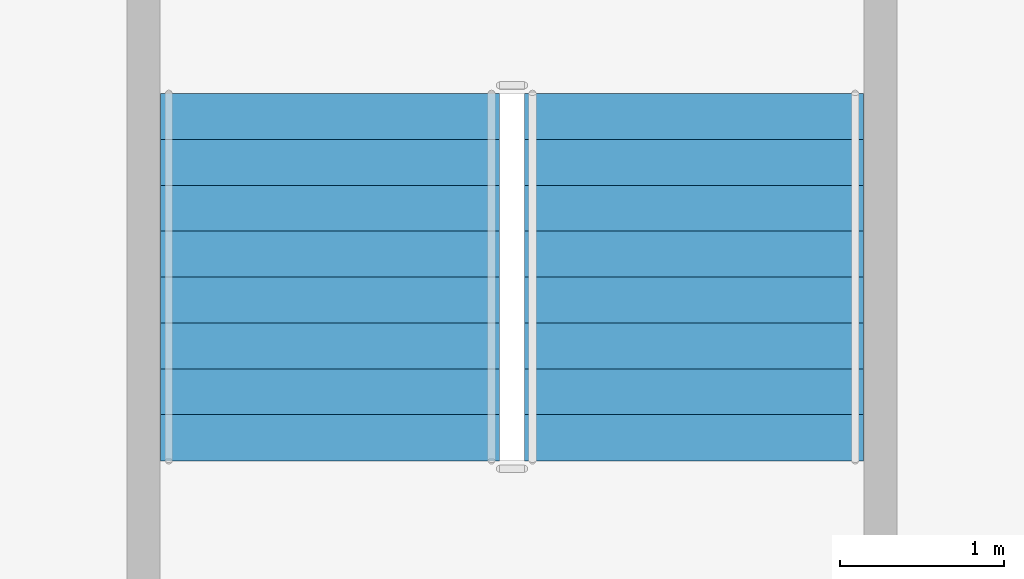
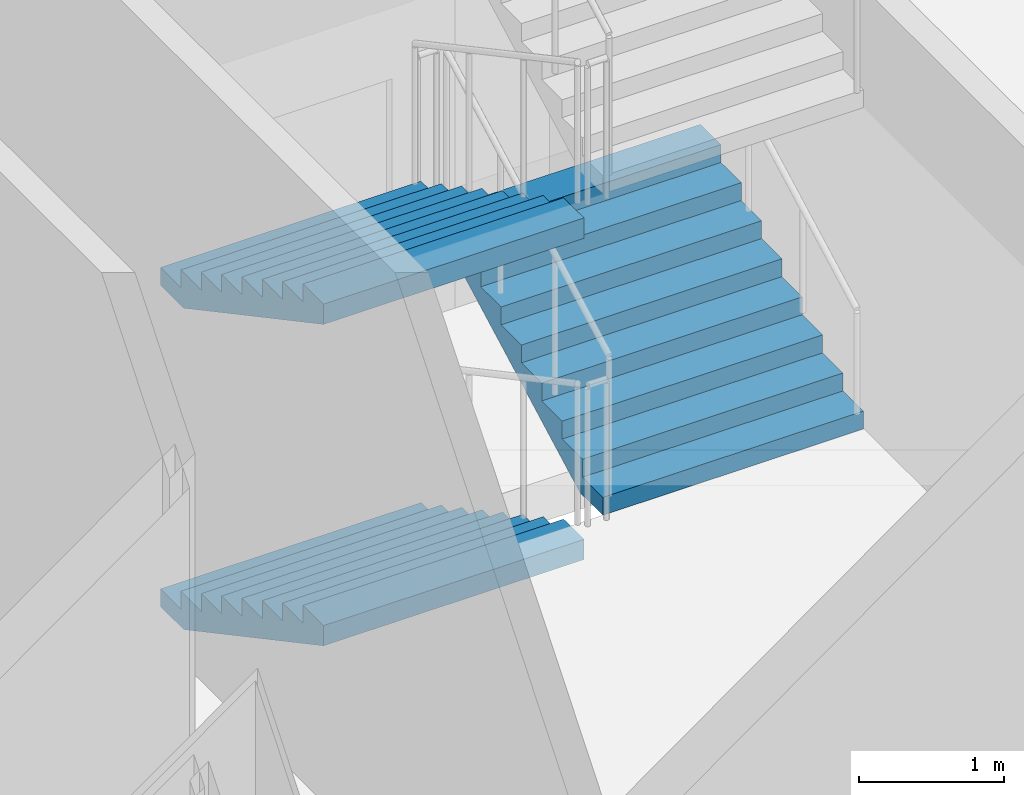
# One storey, part 17 of 27: 3 stair flights, 1 element without a shape of its own.
"""IFC4 building model written with IfcOpenShell, lengths in metres."""

import ifcopenshell
import ifcopenshell.guid

model = None  # the IFC model being written
_history = None  # IfcOwnerHistory: only IFC2X3 demands one
_inside = {}  # id of a spatial element -> (the spatial element, [elements in it])
_under = {}  # id of a project, library or spatial element -> (it, [spatial elements below it])
_declared = {}  # id of a project -> (the project, [libraries it declares])
_typed = {}  # id of a type object -> (the type object, [elements of that type])
_made_of = {}  # id of a material, layer set ... -> (it, [elements and type objects made of it])


def new_model(schema):
    """Start an empty IFC model of exactly this schema.

    Asked for "IFC4X3", IfcOpenShell would pick the latest addendum, in which some entities
    have other attributes; the version numbers below select the first issue.
    IFC2X3 requires an IfcOwnerHistory on every rooted entity: one is made here for all.
    """
    global model, _history
    if schema == "IFC4X3":
        model = ifcopenshell.file(schema_version=(4, 3, 0, 0))
    else:
        model = ifcopenshell.file(schema=schema)
    _inside.clear()
    _under.clear()
    _declared.clear()
    _typed.clear()
    _made_of.clear()
    _history = None
    if model.schema == "IFC2X3":
        org = make("IfcOrganization", Name="unknown")
        user = make(
            "IfcPersonAndOrganization",
            ThePerson=make("IfcPerson", FamilyName="unknown"),
            TheOrganization=org,
        )
        app = make(
            "IfcApplication",
            ApplicationDeveloper=org,
            Version="unknown",
            ApplicationFullName="unknown",
            ApplicationIdentifier="unknown",
        )
        _history = make(
            "IfcOwnerHistory",
            OwningUser=user,
            OwningApplication=app,
            ChangeAction="ADDED",
            CreationDate=0,
        )
    return model


def make(cls, **values):
    """One entity of the class cls with the attributes given. An attribute that is None is left unset."""
    return model.create_entity(
        cls, **{name: value for name, value in values.items() if value is not None}
    )


def rooted(cls, **values):
    """An entity with a GlobalId (a new one), such as an element, a storey or a relation."""
    return make(cls, GlobalId=ifcopenshell.guid.new(), OwnerHistory=_history, **values)


def si_unit(unit_type, name, prefix=None):
    """IfcSIUnit, for example si_unit("LENGTHUNIT", "METRE", prefix="MILLI")."""
    return make("IfcSIUnit", UnitType=unit_type, Prefix=prefix, Name=name)


def assignment(units):
    """IfcUnitAssignment: the units of a project."""
    return None if units is None else make("IfcUnitAssignment", Units=units)


def point(xyz):
    """IfcCartesianPoint."""
    return None if xyz is None else make("IfcCartesianPoint", Coordinates=xyz)


def direction(xyz):
    """IfcDirection."""
    return None if xyz is None else make("IfcDirection", DirectionRatios=xyz)


def frame(location, z_axis=None, x_axis=None):
    """IfcAxis2Placement3D, a coordinate frame: its origin and axes. An axis left out is left unset."""
    return make(
        "IfcAxis2Placement3D",
        Location=point(location),
        Axis=direction(z_axis),
        RefDirection=direction(x_axis),
    )


def origin():
    """The frame at (0, 0, 0) with its axes left unset."""
    return frame((0.0, 0.0, 0.0))


def place(relative_to, where):
    """IfcLocalPlacement: puts the frame where relative to a parent placement (None: the world)."""
    return make(
        "IfcLocalPlacement", PlacementRelTo=relative_to, RelativePlacement=where
    )


def context(
    kind, dimensions, precision=None, world=None, true_north=None, identifier=None
):
    """IfcGeometricRepresentationContext, for example the 3D "Model" context."""
    return make(
        "IfcGeometricRepresentationContext",
        ContextIdentifier=identifier,
        ContextType=kind,
        CoordinateSpaceDimension=dimensions,
        Precision=precision,
        WorldCoordinateSystem=world,
        TrueNorth=true_north,
    )


def subcontext(parent, identifier, kind, view, scale=None):
    """IfcGeometricRepresentationSubContext, for example "Body" below "Model"."""
    return make(
        "IfcGeometricRepresentationSubContext",
        ContextIdentifier=identifier,
        ContextType=kind,
        ParentContext=parent,
        TargetScale=scale,
        TargetView=view,
    )


def project(units=None, contexts=None):
    """IfcProject with its units and contexts."""
    return rooted(
        "IfcProject",
        Name="project",
        RepresentationContexts=contexts,
        UnitsInContext=assignment(units),
    )


def spatial(cls, under=None, at=None, **own):
    """A site, building, storey or space (cls), placed at a placement, below another one or the project."""
    s = rooted(cls, ObjectPlacement=at, **own)
    if under is not None:
        _under.setdefault(under.id(), (under, []))[1].append(s)
    return s


def point_list(points):
    """IfcCartesianPointList2D or 3D."""
    cls = (
        "IfcCartesianPointList2D" if len(points[0]) == 2 else "IfcCartesianPointList3D"
    )
    return make(cls, CoordList=points)


def polygons(points, faces, closed=None, point_numbers=None):
    """IfcPolygonalFaceSet: a face is its outer loop, then its inner loops; points numbered from 1."""
    made = []
    for loops in faces:
        if len(loops) == 1:
            made.append(make("IfcIndexedPolygonalFace", CoordIndex=loops[0]))
        else:
            made.append(
                make(
                    "IfcIndexedPolygonalFaceWithVoids",
                    CoordIndex=loops[0],
                    InnerCoordIndices=loops[1:],
                )
            )
    return make(
        "IfcPolygonalFaceSet",
        Coordinates=point_list(points),
        Closed=closed,
        Faces=made,
        PnIndex=point_numbers,
    )


def shape(context_of_items, identifier, shape_type, items):
    """IfcShapeRepresentation: the items that make up one representation, for example the "Body"."""
    return make(
        "IfcShapeRepresentation",
        ContextOfItems=context_of_items,
        RepresentationIdentifier=identifier,
        RepresentationType=shape_type,
        Items=items,
    )


def material(Name=None, Category=None):
    """IfcMaterial."""
    return make("IfcMaterial", Name=Name, Category=Category)


def made_of(thing, what):
    """Note that an element or type object is made of a material, layer set ...; save() writes the relation."""
    if what is not None:
        _made_of.setdefault(what.id(), (what, []))[1].append(thing)
    return thing


def type_object(cls, material=None, **own):
    """A type object (cls), such as IfcWallType, which elements share."""
    return made_of(rooted(cls, **own), material)


def element(
    cls,
    number,
    at=None,
    inside=None,
    cuts=None,
    type_object=None,
    material=None,
    context=None,
    identifier="Body",
    shape_type=None,
    held_by="IfcProductDefinitionShape",
    body=None,
    shapes=None,
    **own,
):
    """One element of the class cls, such as IfcWall. Its Tag is "e" and its number.

    at: its placement. inside: the storey or other place that contains it. cuts: it is an
    opening in that element (IfcRelVoidsElement). A single representation is given by context,
    identifier, shape_type and body (its items); several are given by shapes. held_by: the class
    of the entity that holds the representations. save() writes the other relations.
    """
    e = rooted(cls, Tag="e%d" % number, ObjectPlacement=at, **own)
    if body is not None:
        shapes = [shape(context, identifier, shape_type, body)]
    if shapes is not None:
        e.Representation = make(held_by, Representations=shapes)
    if inside is not None:
        _inside.setdefault(inside.id(), (inside, []))[1].append(e)
    if cuts is not None:
        rooted(
            "IfcRelVoidsElement", RelatingBuildingElement=cuts, RelatedOpeningElement=e
        )
    if type_object is not None:
        _typed.setdefault(type_object.id(), (type_object, []))[1].append(e)
    return made_of(e, material)


def aggregate(whole, parts):
    """IfcRelAggregates: a whole, such as a stair, and the parts it consists of."""
    return rooted("IfcRelAggregates", RelatingObject=whole, RelatedObjects=parts)


def save(model, path):
    """Write the relations noted so far, then the file.

    IfcRelAggregates (storeys below a building ...), IfcRelContainedInSpatialStructure (elements
    in a storey), IfcRelDefinesByType, IfcRelAssociatesMaterial and IfcRelDeclares: one each for
    every whole, place, type object, material and project.
    """
    for whole, parts in _under.values():
        aggregate(whole, parts)
    for where, things in _inside.values():
        rooted(
            "IfcRelContainedInSpatialStructure",
            RelatedElements=things,
            RelatingStructure=where,
        )
    for kind, things in _typed.values():
        rooted("IfcRelDefinesByType", RelatedObjects=things, RelatingType=kind)
    for what, things in _made_of.values():
        rooted("IfcRelAssociatesMaterial", RelatedObjects=things, RelatingMaterial=what)
    for by, libraries in _declared.values():
        rooted("IfcRelDeclares", RelatingContext=by, RelatedDefinitions=libraries)
    model.write(path)


model = new_model("IFC4")

# Units and contexts
model_context = context("Model", 3, precision=1e-05, world=origin(), true_north=direction((0.0, 1.0)))
body_context = subcontext(model_context, "Body", "Model", "MODEL_VIEW")
ifc_project = project(units=[si_unit("LENGTHUNIT", "METRE"), si_unit("AREAUNIT", "SQUARE_METRE"), si_unit("VOLUMEUNIT", "CUBIC_METRE"), si_unit("PLANEANGLEUNIT", "RADIAN"), si_unit("MASSUNIT", "GRAM", prefix="KILO")], contexts=[model_context])

# Site, building, storey
site_placement = place(None, origin())
site = spatial("IfcSite", under=ifc_project, at=site_placement, CompositionType="ELEMENT")
building_placement = place(site_placement, origin())
building = spatial("IfcBuilding", under=site, at=building_placement, Name="Caravel Reach Hotel and Residences", CompositionType="ELEMENT")
storey_placement = place(building_placement, frame((0.0, 0.0, 6.60009765625)))
storey = spatial("IfcBuildingStorey", under=building, at=storey_placement, Name="L01", CompositionType="ELEMENT", Elevation=6.60009765625)

# Stair, stair flights
ifc_material_1 = material(Name="Concrete C40", Category="concrete")
stair_type = type_object("IfcStairType", Name="Core stair", PredefinedType="HALF_TURN_STAIR", material=ifc_material_1)
stair_placement = place(storey_placement, origin())
stair = element("IfcStair", 1, at=stair_placement, inside=storey, type_object=stair_type, Name="L01 Exit stair P1", PredefinedType="HALF_TURN_STAIR")
ifc_material_2 = material(Name="Concrete C40", Category="concrete")
stair_flight_type = type_object("IfcStairFlightType", Name="Core stair flight", PredefinedType="STRAIGHT", material=ifc_material_2)
stair_flight_1_placement = place(storey_placement, frame((7.889892578125, 41.010009765625, 0.0), z_axis=(0.0, 0.0, 1.0), x_axis=(0.0, -1.0, 0.0)))
stair_flight_1 = element("IfcStairFlight", 2, at=stair_flight_1_placement, type_object=stair_flight_type, Name="ST-P1 flight 1", NumberOfRisers=9, NumberOfTreads=8, PredefinedType="STRAIGHT", RiserHeight=0.15, TreadLength=0.28, context=body_context, shape_type="Tessellation", body=[
    polygons([(0.3174408016601864, 1.0350341796875, 0.0), (0.3174408016601864, 0.6900227864583333, 0.0), (0.3174408016601864, 0.34501139322916663, 0.0), (0.3174408016601864, 0.0, 0.0), (0.3174408016601864, -0.34501139322916674, 0.0), (0.3174408016601864, -0.6900227864583333, 0.0), (0.3174408016601864, -1.0350341796875, 0.0), (2.241, 1.0350341796875, 1.029942427682043), (2.241, 0.6900227864583333, 1.029942427682043), (2.241, 0.34501139322916663, 1.029942427682043), (2.241, 0.0, 1.029942427682043), (2.241, -0.34501139322916674, 1.029942427682043), (2.241, -0.6900227864583333, 1.029942427682043), (2.241, -1.0350341796875, 1.029942427682043), (2.241, 1.0350341796875, 1.2), (2.241, 0.6900227864583333, 1.2), (2.241, 0.34501139322916663, 1.2), (2.241, 0.0, 1.2), (2.241, -0.34501139322916674, 1.2), (2.241, -0.6900227864583333, 1.2), (2.241, -1.0350341796875, 1.2), (1.9600000000000002, 1.0350341796875, 1.2), (1.9600000000000002, 0.6900227864583333, 1.2), (1.9600000000000002, 0.34501139322916663, 1.2), (1.9600000000000002, 0.0, 1.2), (1.9600000000000002, -0.34501139322916674, 1.2), (1.9600000000000002, -0.6900227864583333, 1.2), (1.9600000000000002, -1.0350341796875, 1.2), (1.9600000000000002, 1.0350341796875, 1.05), (1.9600000000000002, 0.6900227864583333, 1.05), (1.9600000000000002, 0.34501139322916663, 1.05), (1.9600000000000002, 0.0, 1.05), (1.9600000000000002, -0.34501139322916674, 1.05), (1.9600000000000002, -0.6900227864583333, 1.05), (1.9600000000000002, -1.0350341796875, 1.05), (1.6800000000000002, 1.0350341796875, 1.05), (1.6800000000000002, 0.6900227864583333, 1.05), (1.6800000000000002, 0.34501139322916663, 1.05), (1.6800000000000002, 0.0, 1.05), (1.6800000000000002, -0.34501139322916674, 1.05), (1.6800000000000002, -0.6900227864583333, 1.05), (1.6800000000000002, -1.0350341796875, 1.05), (1.6800000000000002, 1.0350341796875, 0.8999999999999999), (1.6800000000000002, 0.6900227864583333, 0.8999999999999999), (1.6800000000000002, 0.34501139322916663, 0.8999999999999999), (1.6800000000000002, 0.0, 0.8999999999999999), (1.6800000000000002, -0.34501139322916674, 0.8999999999999999), (1.6800000000000002, -0.6900227864583333, 0.8999999999999999), (1.6800000000000002, -1.0350341796875, 0.8999999999999999), (1.4000000000000001, 1.0350341796875, 0.8999999999999999), (1.4000000000000001, 0.6900227864583333, 0.8999999999999999), (1.4000000000000001, 0.34501139322916663, 0.8999999999999999), (1.4000000000000001, 0.0, 0.8999999999999999), (1.4000000000000001, -0.34501139322916674, 0.8999999999999999), (1.4000000000000001, -0.6900227864583333, 0.8999999999999999), (1.4000000000000001, -1.0350341796875, 0.8999999999999999), (1.4000000000000001, 1.0350341796875, 0.75), (1.4000000000000001, 0.6900227864583333, 0.75), (1.4000000000000001, 0.34501139322916663, 0.75), (1.4000000000000001, 0.0, 0.75), (1.4000000000000001, -0.34501139322916674, 0.75), (1.4000000000000001, -0.6900227864583333, 0.75), (1.4000000000000001, -1.0350341796875, 0.75), (1.12, 1.0350341796875, 0.75), (1.12, 0.6900227864583333, 0.75), (1.12, 0.34501139322916663, 0.75), (1.12, 0.0, 0.75), (1.12, -0.34501139322916674, 0.75), (1.12, -0.6900227864583333, 0.75), (1.12, -1.0350341796875, 0.75), (1.12, 1.0350341796875, 0.6), (1.12, 0.6900227864583333, 0.6), (1.12, 0.34501139322916663, 0.6), (1.12, 0.0, 0.6), (1.12, -0.34501139322916674, 0.6), (1.12, -0.6900227864583333, 0.6), (1.12, -1.0350341796875, 0.6), (0.8400000000000001, 1.0350341796875, 0.6), (0.8400000000000001, 0.6900227864583333, 0.6), (0.8400000000000001, 0.34501139322916663, 0.6), (0.8400000000000001, 0.0, 0.6), (0.8400000000000001, -0.34501139322916674, 0.6), (0.8400000000000001, -0.6900227864583333, 0.6), (0.8400000000000001, -1.0350341796875, 0.6), (0.8400000000000001, 1.0350341796875, 0.44999999999999996), (0.8400000000000001, 0.6900227864583333, 0.44999999999999996), (0.8400000000000001, 0.34501139322916663, 0.44999999999999996), (0.8400000000000001, 0.0, 0.44999999999999996), (0.8400000000000001, -0.34501139322916674, 0.44999999999999996), (0.8400000000000001, -0.6900227864583333, 0.44999999999999996), (0.8400000000000001, -1.0350341796875, 0.44999999999999996), (0.56, 1.0350341796875, 0.44999999999999996), (0.56, 0.6900227864583333, 0.44999999999999996), (0.56, 0.34501139322916663, 0.44999999999999996), (0.56, 0.0, 0.44999999999999996), (0.56, -0.34501139322916674, 0.44999999999999996), (0.56, -0.6900227864583333, 0.44999999999999996), (0.56, -1.0350341796875, 0.44999999999999996), (0.56, 1.0350341796875, 0.3), (0.56, 0.6900227864583333, 0.3), (0.56, 0.34501139322916663, 0.3), (0.56, 0.0, 0.3), (0.56, -0.34501139322916674, 0.3), (0.56, -0.6900227864583333, 0.3), (0.56, -1.0350341796875, 0.3), (0.28, 1.0350341796875, 0.3), (0.28, 0.6900227864583333, 0.3), (0.28, 0.34501139322916663, 0.3), (0.28, 0.0, 0.3), (0.28, -0.34501139322916674, 0.3), (0.28, -0.6900227864583333, 0.3), (0.28, -1.0350341796875, 0.3), (0.28, 1.0350341796875, 0.15), (0.28, 0.6900227864583333, 0.15), (0.28, 0.34501139322916663, 0.15), (0.28, 0.0, 0.15), (0.28, -0.34501139322916674, 0.15), (0.28, -0.6900227864583333, 0.15), (0.28, -1.0350341796875, 0.15), (-0.001, 1.0350341796875, 0.15), (-0.001, 0.6900227864583333, 0.15), (-0.001, 0.34501139322916663, 0.15), (-0.001, 0.0, 0.15), (-0.001, -0.34501139322916674, 0.15), (-0.001, -0.6900227864583333, 0.15), (-0.001, -1.0350341796875, 0.15), (-0.001, 1.0350341796875, 0.0), (-0.001, 0.6900227864583333, 0.0), (-0.001, 0.34501139322916663, 0.0), (-0.001, 0.0, 0.0), (-0.001, -0.34501139322916674, 0.0), (-0.001, -0.6900227864583333, 0.0), (-0.001, -1.0350341796875, 0.0)], [[[127, 120, 113, 106, 99, 92, 85, 78, 71, 64, 57, 50, 43, 36, 29, 22, 15, 8, 1]], [[7, 14, 21, 28, 35, 42, 49, 56, 63, 70, 77, 84, 91, 98, 105, 112, 119, 126, 133]], [[1, 8, 9, 2]], [[2, 9, 10, 3]], [[3, 10, 11, 4]], [[4, 11, 12, 5]], [[5, 12, 13, 6]], [[6, 13, 14, 7]], [[8, 15, 16, 9]], [[9, 16, 17, 10]], [[10, 17, 18, 11]], [[11, 18, 19, 12]], [[12, 19, 20, 13]], [[13, 20, 21, 14]], [[15, 22, 23, 16]], [[16, 23, 24, 17]], [[17, 24, 25, 18]], [[18, 25, 26, 19]], [[19, 26, 27, 20]], [[20, 27, 28, 21]], [[22, 29, 30, 23]], [[23, 30, 31, 24]], [[24, 31, 32, 25]], [[25, 32, 33, 26]], [[26, 33, 34, 27]], [[27, 34, 35, 28]], [[29, 36, 37, 30]], [[30, 37, 38, 31]], [[31, 38, 39, 32]], [[32, 39, 40, 33]], [[33, 40, 41, 34]], [[34, 41, 42, 35]], [[36, 43, 44, 37]], [[37, 44, 45, 38]], [[38, 45, 46, 39]], [[39, 46, 47, 40]], [[40, 47, 48, 41]], [[41, 48, 49, 42]], [[43, 50, 51, 44]], [[44, 51, 52, 45]], [[45, 52, 53, 46]], [[46, 53, 54, 47]], [[47, 54, 55, 48]], [[48, 55, 56, 49]], [[50, 57, 58, 51]], [[51, 58, 59, 52]], [[52, 59, 60, 53]], [[53, 60, 61, 54]], [[54, 61, 62, 55]], [[55, 62, 63, 56]], [[57, 64, 65, 58]], [[58, 65, 66, 59]], [[59, 66, 67, 60]], [[60, 67, 68, 61]], [[61, 68, 69, 62]], [[62, 69, 70, 63]], [[64, 71, 72, 65]], [[65, 72, 73, 66]], [[66, 73, 74, 67]], [[67, 74, 75, 68]], [[68, 75, 76, 69]], [[69, 76, 77, 70]], [[71, 78, 79, 72]], [[72, 79, 80, 73]], [[73, 80, 81, 74]], [[74, 81, 82, 75]], [[75, 82, 83, 76]], [[76, 83, 84, 77]], [[78, 85, 86, 79]], [[79, 86, 87, 80]], [[80, 87, 88, 81]], [[81, 88, 89, 82]], [[82, 89, 90, 83]], [[83, 90, 91, 84]], [[85, 92, 93, 86]], [[86, 93, 94, 87]], [[87, 94, 95, 88]], [[88, 95, 96, 89]], [[89, 96, 97, 90]], [[90, 97, 98, 91]], [[92, 99, 100, 93]], [[93, 100, 101, 94]], [[94, 101, 102, 95]], [[95, 102, 103, 96]], [[96, 103, 104, 97]], [[97, 104, 105, 98]], [[99, 106, 107, 100]], [[100, 107, 108, 101]], [[101, 108, 109, 102]], [[102, 109, 110, 103]], [[103, 110, 111, 104]], [[104, 111, 112, 105]], [[106, 113, 114, 107]], [[107, 114, 115, 108]], [[108, 115, 116, 109]], [[109, 116, 117, 110]], [[110, 117, 118, 111]], [[111, 118, 119, 112]], [[113, 120, 121, 114]], [[114, 121, 122, 115]], [[115, 122, 123, 116]], [[116, 123, 124, 117]], [[117, 124, 125, 118]], [[118, 125, 126, 119]], [[120, 127, 128, 121]], [[121, 128, 129, 122]], [[122, 129, 130, 123]], [[123, 130, 131, 124]], [[124, 131, 132, 125]], [[125, 132, 133, 126]], [[127, 1, 2, 128]], [[128, 2, 3, 129]], [[129, 3, 4, 130]], [[130, 4, 5, 131]], [[131, 5, 6, 132]], [[132, 6, 7, 133]]], closed=True),
])
stair_flight_2_placement = place(storey_placement, frame((10.110107421875, 38.77001953125, 1.349853515625), z_axis=(0.0, 0.0, 1.0), x_axis=(0.0, 1.0, 0.0)))
stair_flight_2 = element("IfcStairFlight", 3, at=stair_flight_2_placement, type_object=stair_flight_type, Name="ST-P1 flight 2", NumberOfRisers=9, NumberOfTreads=8, PredefinedType="STRAIGHT", RiserHeight=0.15, TreadLength=0.28, context=body_context, shape_type="Tessellation", body=[
    polygons([(0.3174408016601864, 1.0350341796875, 0.0), (0.3174408016601864, 0.6900227864583333, 0.0), (0.3174408016601864, 0.34501139322916663, 0.0), (0.3174408016601864, 0.0, 0.0), (0.3174408016601864, -0.34501139322916674, 0.0), (0.3174408016601864, -0.6900227864583333, 0.0), (0.3174408016601864, -1.0350341796875, 0.0), (2.241, 1.0350341796875, 1.029942427682043), (2.241, 0.6900227864583333, 1.029942427682043), (2.241, 0.34501139322916663, 1.029942427682043), (2.241, 0.0, 1.029942427682043), (2.241, -0.34501139322916674, 1.029942427682043), (2.241, -0.6900227864583333, 1.029942427682043), (2.241, -1.0350341796875, 1.029942427682043), (2.241, 1.0350341796875, 1.2), (2.241, 0.6900227864583333, 1.2), (2.241, 0.34501139322916663, 1.2), (2.241, 0.0, 1.2), (2.241, -0.34501139322916674, 1.2), (2.241, -0.6900227864583333, 1.2), (2.241, -1.0350341796875, 1.2), (1.9600000000000002, 1.0350341796875, 1.2), (1.9600000000000002, 0.6900227864583333, 1.2), (1.9600000000000002, 0.34501139322916663, 1.2), (1.9600000000000002, 0.0, 1.2), (1.9600000000000002, -0.34501139322916674, 1.2), (1.9600000000000002, -0.6900227864583333, 1.2), (1.9600000000000002, -1.0350341796875, 1.2), (1.9600000000000002, 1.0350341796875, 1.05), (1.9600000000000002, 0.6900227864583333, 1.05), (1.9600000000000002, 0.34501139322916663, 1.05), (1.9600000000000002, 0.0, 1.05), (1.9600000000000002, -0.34501139322916674, 1.05), (1.9600000000000002, -0.6900227864583333, 1.05), (1.9600000000000002, -1.0350341796875, 1.05), (1.6800000000000002, 1.0350341796875, 1.05), (1.6800000000000002, 0.6900227864583333, 1.05), (1.6800000000000002, 0.34501139322916663, 1.05), (1.6800000000000002, 0.0, 1.05), (1.6800000000000002, -0.34501139322916674, 1.05), (1.6800000000000002, -0.6900227864583333, 1.05), (1.6800000000000002, -1.0350341796875, 1.05), (1.6800000000000002, 1.0350341796875, 0.8999999999999999), (1.6800000000000002, 0.6900227864583333, 0.8999999999999999), (1.6800000000000002, 0.34501139322916663, 0.8999999999999999), (1.6800000000000002, 0.0, 0.8999999999999999), (1.6800000000000002, -0.34501139322916674, 0.8999999999999999), (1.6800000000000002, -0.6900227864583333, 0.8999999999999999), (1.6800000000000002, -1.0350341796875, 0.8999999999999999), (1.4000000000000001, 1.0350341796875, 0.8999999999999999), (1.4000000000000001, 0.6900227864583333, 0.8999999999999999), (1.4000000000000001, 0.34501139322916663, 0.8999999999999999), (1.4000000000000001, 0.0, 0.8999999999999999), (1.4000000000000001, -0.34501139322916674, 0.8999999999999999), (1.4000000000000001, -0.6900227864583333, 0.8999999999999999), (1.4000000000000001, -1.0350341796875, 0.8999999999999999), (1.4000000000000001, 1.0350341796875, 0.75), (1.4000000000000001, 0.6900227864583333, 0.75), (1.4000000000000001, 0.34501139322916663, 0.75), (1.4000000000000001, 0.0, 0.75), (1.4000000000000001, -0.34501139322916674, 0.75), (1.4000000000000001, -0.6900227864583333, 0.75), (1.4000000000000001, -1.0350341796875, 0.75), (1.12, 1.0350341796875, 0.75), (1.12, 0.6900227864583333, 0.75), (1.12, 0.34501139322916663, 0.75), (1.12, 0.0, 0.75), (1.12, -0.34501139322916674, 0.75), (1.12, -0.6900227864583333, 0.75), (1.12, -1.0350341796875, 0.75), (1.12, 1.0350341796875, 0.6), (1.12, 0.6900227864583333, 0.6), (1.12, 0.34501139322916663, 0.6), (1.12, 0.0, 0.6), (1.12, -0.34501139322916674, 0.6), (1.12, -0.6900227864583333, 0.6), (1.12, -1.0350341796875, 0.6), (0.8400000000000001, 1.0350341796875, 0.6), (0.8400000000000001, 0.6900227864583333, 0.6), (0.8400000000000001, 0.34501139322916663, 0.6), (0.8400000000000001, 0.0, 0.6), (0.8400000000000001, -0.34501139322916674, 0.6), (0.8400000000000001, -0.6900227864583333, 0.6), (0.8400000000000001, -1.0350341796875, 0.6), (0.8400000000000001, 1.0350341796875, 0.44999999999999996), (0.8400000000000001, 0.6900227864583333, 0.44999999999999996), (0.8400000000000001, 0.34501139322916663, 0.44999999999999996), (0.8400000000000001, 0.0, 0.44999999999999996), (0.8400000000000001, -0.34501139322916674, 0.44999999999999996), (0.8400000000000001, -0.6900227864583333, 0.44999999999999996), (0.8400000000000001, -1.0350341796875, 0.44999999999999996), (0.56, 1.0350341796875, 0.44999999999999996), (0.56, 0.6900227864583333, 0.44999999999999996), (0.56, 0.34501139322916663, 0.44999999999999996), (0.56, 0.0, 0.44999999999999996), (0.56, -0.34501139322916674, 0.44999999999999996), (0.56, -0.6900227864583333, 0.44999999999999996), (0.56, -1.0350341796875, 0.44999999999999996), (0.56, 1.0350341796875, 0.3), (0.56, 0.6900227864583333, 0.3), (0.56, 0.34501139322916663, 0.3), (0.56, 0.0, 0.3), (0.56, -0.34501139322916674, 0.3), (0.56, -0.6900227864583333, 0.3), (0.56, -1.0350341796875, 0.3), (0.28, 1.0350341796875, 0.3), (0.28, 0.6900227864583333, 0.3), (0.28, 0.34501139322916663, 0.3), (0.28, 0.0, 0.3), (0.28, -0.34501139322916674, 0.3), (0.28, -0.6900227864583333, 0.3), (0.28, -1.0350341796875, 0.3), (0.28, 1.0350341796875, 0.15), (0.28, 0.6900227864583333, 0.15), (0.28, 0.34501139322916663, 0.15), (0.28, 0.0, 0.15), (0.28, -0.34501139322916674, 0.15), (0.28, -0.6900227864583333, 0.15), (0.28, -1.0350341796875, 0.15), (-0.001, 1.0350341796875, 0.15), (-0.001, 0.6900227864583333, 0.15), (-0.001, 0.34501139322916663, 0.15), (-0.001, 0.0, 0.15), (-0.001, -0.34501139322916674, 0.15), (-0.001, -0.6900227864583333, 0.15), (-0.001, -1.0350341796875, 0.15), (-0.001, 1.0350341796875, 0.0), (-0.001, 0.6900227864583333, 0.0), (-0.001, 0.34501139322916663, 0.0), (-0.001, 0.0, 0.0), (-0.001, -0.34501139322916674, 0.0), (-0.001, -0.6900227864583333, 0.0), (-0.001, -1.0350341796875, 0.0)], [[[127, 120, 113, 106, 99, 92, 85, 78, 71, 64, 57, 50, 43, 36, 29, 22, 15, 8, 1]], [[7, 14, 21, 28, 35, 42, 49, 56, 63, 70, 77, 84, 91, 98, 105, 112, 119, 126, 133]], [[1, 8, 9, 2]], [[2, 9, 10, 3]], [[3, 10, 11, 4]], [[4, 11, 12, 5]], [[5, 12, 13, 6]], [[6, 13, 14, 7]], [[8, 15, 16, 9]], [[9, 16, 17, 10]], [[10, 17, 18, 11]], [[11, 18, 19, 12]], [[12, 19, 20, 13]], [[13, 20, 21, 14]], [[15, 22, 23, 16]], [[16, 23, 24, 17]], [[17, 24, 25, 18]], [[18, 25, 26, 19]], [[19, 26, 27, 20]], [[20, 27, 28, 21]], [[22, 29, 30, 23]], [[23, 30, 31, 24]], [[24, 31, 32, 25]], [[25, 32, 33, 26]], [[26, 33, 34, 27]], [[27, 34, 35, 28]], [[29, 36, 37, 30]], [[30, 37, 38, 31]], [[31, 38, 39, 32]], [[32, 39, 40, 33]], [[33, 40, 41, 34]], [[34, 41, 42, 35]], [[36, 43, 44, 37]], [[37, 44, 45, 38]], [[38, 45, 46, 39]], [[39, 46, 47, 40]], [[40, 47, 48, 41]], [[41, 48, 49, 42]], [[43, 50, 51, 44]], [[44, 51, 52, 45]], [[45, 52, 53, 46]], [[46, 53, 54, 47]], [[47, 54, 55, 48]], [[48, 55, 56, 49]], [[50, 57, 58, 51]], [[51, 58, 59, 52]], [[52, 59, 60, 53]], [[53, 60, 61, 54]], [[54, 61, 62, 55]], [[55, 62, 63, 56]], [[57, 64, 65, 58]], [[58, 65, 66, 59]], [[59, 66, 67, 60]], [[60, 67, 68, 61]], [[61, 68, 69, 62]], [[62, 69, 70, 63]], [[64, 71, 72, 65]], [[65, 72, 73, 66]], [[66, 73, 74, 67]], [[67, 74, 75, 68]], [[68, 75, 76, 69]], [[69, 76, 77, 70]], [[71, 78, 79, 72]], [[72, 79, 80, 73]], [[73, 80, 81, 74]], [[74, 81, 82, 75]], [[75, 82, 83, 76]], [[76, 83, 84, 77]], [[78, 85, 86, 79]], [[79, 86, 87, 80]], [[80, 87, 88, 81]], [[81, 88, 89, 82]], [[82, 89, 90, 83]], [[83, 90, 91, 84]], [[85, 92, 93, 86]], [[86, 93, 94, 87]], [[87, 94, 95, 88]], [[88, 95, 96, 89]], [[89, 96, 97, 90]], [[90, 97, 98, 91]], [[92, 99, 100, 93]], [[93, 100, 101, 94]], [[94, 101, 102, 95]], [[95, 102, 103, 96]], [[96, 103, 104, 97]], [[97, 104, 105, 98]], [[99, 106, 107, 100]], [[100, 107, 108, 101]], [[101, 108, 109, 102]], [[102, 109, 110, 103]], [[103, 110, 111, 104]], [[104, 111, 112, 105]], [[106, 113, 114, 107]], [[107, 114, 115, 108]], [[108, 115, 116, 109]], [[109, 116, 117, 110]], [[110, 117, 118, 111]], [[111, 118, 119, 112]], [[113, 120, 121, 114]], [[114, 121, 122, 115]], [[115, 122, 123, 116]], [[116, 123, 124, 117]], [[117, 124, 125, 118]], [[118, 125, 126, 119]], [[120, 127, 128, 121]], [[121, 128, 129, 122]], [[122, 129, 130, 123]], [[123, 130, 131, 124]], [[124, 131, 132, 125]], [[125, 132, 133, 126]], [[127, 1, 2, 128]], [[128, 2, 3, 129]], [[129, 3, 4, 130]], [[130, 4, 5, 131]], [[131, 5, 6, 132]], [[132, 6, 7, 133]]], closed=True),
])
stair_flight_3_placement = place(storey_placement, frame((7.889892578125, 41.010009765625, 2.699951171875), z_axis=(0.0, 0.0, 1.0), x_axis=(0.0, -1.0, 0.0)))
stair_flight_3 = element("IfcStairFlight", 4, at=stair_flight_3_placement, type_object=stair_flight_type, Name="ST-P1 flight 3", NumberOfRisers=9, NumberOfTreads=8, PredefinedType="STRAIGHT", RiserHeight=0.15, TreadLength=0.28, context=body_context, shape_type="Tessellation", body=[
    polygons([(0.3174408016601864, 1.0350341796875, 0.0), (0.3174408016601864, 0.6900227864583333, 0.0), (0.3174408016601864, 0.34501139322916663, 0.0), (0.3174408016601864, 0.0, 0.0), (0.3174408016601864, -0.34501139322916674, 0.0), (0.3174408016601864, -0.6900227864583333, 0.0), (0.3174408016601864, -1.0350341796875, 0.0), (2.241, 1.0350341796875, 1.029942427682043), (2.241, 0.6900227864583333, 1.029942427682043), (2.241, 0.34501139322916663, 1.029942427682043), (2.241, 0.0, 1.029942427682043), (2.241, -0.34501139322916674, 1.029942427682043), (2.241, -0.6900227864583333, 1.029942427682043), (2.241, -1.0350341796875, 1.029942427682043), (2.241, 1.0350341796875, 1.2), (2.241, 0.6900227864583333, 1.2), (2.241, 0.34501139322916663, 1.2), (2.241, 0.0, 1.2), (2.241, -0.34501139322916674, 1.2), (2.241, -0.6900227864583333, 1.2), (2.241, -1.0350341796875, 1.2), (1.9600000000000002, 1.0350341796875, 1.2), (1.9600000000000002, 0.6900227864583333, 1.2), (1.9600000000000002, 0.34501139322916663, 1.2), (1.9600000000000002, 0.0, 1.2), (1.9600000000000002, -0.34501139322916674, 1.2), (1.9600000000000002, -0.6900227864583333, 1.2), (1.9600000000000002, -1.0350341796875, 1.2), (1.9600000000000002, 1.0350341796875, 1.05), (1.9600000000000002, 0.6900227864583333, 1.05), (1.9600000000000002, 0.34501139322916663, 1.05), (1.9600000000000002, 0.0, 1.05), (1.9600000000000002, -0.34501139322916674, 1.05), (1.9600000000000002, -0.6900227864583333, 1.05), (1.9600000000000002, -1.0350341796875, 1.05), (1.6800000000000002, 1.0350341796875, 1.05), (1.6800000000000002, 0.6900227864583333, 1.05), (1.6800000000000002, 0.34501139322916663, 1.05), (1.6800000000000002, 0.0, 1.05), (1.6800000000000002, -0.34501139322916674, 1.05), (1.6800000000000002, -0.6900227864583333, 1.05), (1.6800000000000002, -1.0350341796875, 1.05), (1.6800000000000002, 1.0350341796875, 0.8999999999999999), (1.6800000000000002, 0.6900227864583333, 0.8999999999999999), (1.6800000000000002, 0.34501139322916663, 0.8999999999999999), (1.6800000000000002, 0.0, 0.8999999999999999), (1.6800000000000002, -0.34501139322916674, 0.8999999999999999), (1.6800000000000002, -0.6900227864583333, 0.8999999999999999), (1.6800000000000002, -1.0350341796875, 0.8999999999999999), (1.4000000000000001, 1.0350341796875, 0.8999999999999999), (1.4000000000000001, 0.6900227864583333, 0.8999999999999999), (1.4000000000000001, 0.34501139322916663, 0.8999999999999999), (1.4000000000000001, 0.0, 0.8999999999999999), (1.4000000000000001, -0.34501139322916674, 0.8999999999999999), (1.4000000000000001, -0.6900227864583333, 0.8999999999999999), (1.4000000000000001, -1.0350341796875, 0.8999999999999999), (1.4000000000000001, 1.0350341796875, 0.75), (1.4000000000000001, 0.6900227864583333, 0.75), (1.4000000000000001, 0.34501139322916663, 0.75), (1.4000000000000001, 0.0, 0.75), (1.4000000000000001, -0.34501139322916674, 0.75), (1.4000000000000001, -0.6900227864583333, 0.75), (1.4000000000000001, -1.0350341796875, 0.75), (1.12, 1.0350341796875, 0.75), (1.12, 0.6900227864583333, 0.75), (1.12, 0.34501139322916663, 0.75), (1.12, 0.0, 0.75), (1.12, -0.34501139322916674, 0.75), (1.12, -0.6900227864583333, 0.75), (1.12, -1.0350341796875, 0.75), (1.12, 1.0350341796875, 0.6), (1.12, 0.6900227864583333, 0.6), (1.12, 0.34501139322916663, 0.6), (1.12, 0.0, 0.6), (1.12, -0.34501139322916674, 0.6), (1.12, -0.6900227864583333, 0.6), (1.12, -1.0350341796875, 0.6), (0.8400000000000001, 1.0350341796875, 0.6), (0.8400000000000001, 0.6900227864583333, 0.6), (0.8400000000000001, 0.34501139322916663, 0.6), (0.8400000000000001, 0.0, 0.6), (0.8400000000000001, -0.34501139322916674, 0.6), (0.8400000000000001, -0.6900227864583333, 0.6), (0.8400000000000001, -1.0350341796875, 0.6), (0.8400000000000001, 1.0350341796875, 0.44999999999999996), (0.8400000000000001, 0.6900227864583333, 0.44999999999999996), (0.8400000000000001, 0.34501139322916663, 0.44999999999999996), (0.8400000000000001, 0.0, 0.44999999999999996), (0.8400000000000001, -0.34501139322916674, 0.44999999999999996), (0.8400000000000001, -0.6900227864583333, 0.44999999999999996), (0.8400000000000001, -1.0350341796875, 0.44999999999999996), (0.56, 1.0350341796875, 0.44999999999999996), (0.56, 0.6900227864583333, 0.44999999999999996), (0.56, 0.34501139322916663, 0.44999999999999996), (0.56, 0.0, 0.44999999999999996), (0.56, -0.34501139322916674, 0.44999999999999996), (0.56, -0.6900227864583333, 0.44999999999999996), (0.56, -1.0350341796875, 0.44999999999999996), (0.56, 1.0350341796875, 0.3), (0.56, 0.6900227864583333, 0.3), (0.56, 0.34501139322916663, 0.3), (0.56, 0.0, 0.3), (0.56, -0.34501139322916674, 0.3), (0.56, -0.6900227864583333, 0.3), (0.56, -1.0350341796875, 0.3), (0.28, 1.0350341796875, 0.3), (0.28, 0.6900227864583333, 0.3), (0.28, 0.34501139322916663, 0.3), (0.28, 0.0, 0.3), (0.28, -0.34501139322916674, 0.3), (0.28, -0.6900227864583333, 0.3), (0.28, -1.0350341796875, 0.3), (0.28, 1.0350341796875, 0.15), (0.28, 0.6900227864583333, 0.15), (0.28, 0.34501139322916663, 0.15), (0.28, 0.0, 0.15), (0.28, -0.34501139322916674, 0.15), (0.28, -0.6900227864583333, 0.15), (0.28, -1.0350341796875, 0.15), (-0.001, 1.0350341796875, 0.15), (-0.001, 0.6900227864583333, 0.15), (-0.001, 0.34501139322916663, 0.15), (-0.001, 0.0, 0.15), (-0.001, -0.34501139322916674, 0.15), (-0.001, -0.6900227864583333, 0.15), (-0.001, -1.0350341796875, 0.15), (-0.001, 1.0350341796875, 0.0), (-0.001, 0.6900227864583333, 0.0), (-0.001, 0.34501139322916663, 0.0), (-0.001, 0.0, 0.0), (-0.001, -0.34501139322916674, 0.0), (-0.001, -0.6900227864583333, 0.0), (-0.001, -1.0350341796875, 0.0)], [[[127, 120, 113, 106, 99, 92, 85, 78, 71, 64, 57, 50, 43, 36, 29, 22, 15, 8, 1]], [[7, 14, 21, 28, 35, 42, 49, 56, 63, 70, 77, 84, 91, 98, 105, 112, 119, 126, 133]], [[1, 8, 9, 2]], [[2, 9, 10, 3]], [[3, 10, 11, 4]], [[4, 11, 12, 5]], [[5, 12, 13, 6]], [[6, 13, 14, 7]], [[8, 15, 16, 9]], [[9, 16, 17, 10]], [[10, 17, 18, 11]], [[11, 18, 19, 12]], [[12, 19, 20, 13]], [[13, 20, 21, 14]], [[15, 22, 23, 16]], [[16, 23, 24, 17]], [[17, 24, 25, 18]], [[18, 25, 26, 19]], [[19, 26, 27, 20]], [[20, 27, 28, 21]], [[22, 29, 30, 23]], [[23, 30, 31, 24]], [[24, 31, 32, 25]], [[25, 32, 33, 26]], [[26, 33, 34, 27]], [[27, 34, 35, 28]], [[29, 36, 37, 30]], [[30, 37, 38, 31]], [[31, 38, 39, 32]], [[32, 39, 40, 33]], [[33, 40, 41, 34]], [[34, 41, 42, 35]], [[36, 43, 44, 37]], [[37, 44, 45, 38]], [[38, 45, 46, 39]], [[39, 46, 47, 40]], [[40, 47, 48, 41]], [[41, 48, 49, 42]], [[43, 50, 51, 44]], [[44, 51, 52, 45]], [[45, 52, 53, 46]], [[46, 53, 54, 47]], [[47, 54, 55, 48]], [[48, 55, 56, 49]], [[50, 57, 58, 51]], [[51, 58, 59, 52]], [[52, 59, 60, 53]], [[53, 60, 61, 54]], [[54, 61, 62, 55]], [[55, 62, 63, 56]], [[57, 64, 65, 58]], [[58, 65, 66, 59]], [[59, 66, 67, 60]], [[60, 67, 68, 61]], [[61, 68, 69, 62]], [[62, 69, 70, 63]], [[64, 71, 72, 65]], [[65, 72, 73, 66]], [[66, 73, 74, 67]], [[67, 74, 75, 68]], [[68, 75, 76, 69]], [[69, 76, 77, 70]], [[71, 78, 79, 72]], [[72, 79, 80, 73]], [[73, 80, 81, 74]], [[74, 81, 82, 75]], [[75, 82, 83, 76]], [[76, 83, 84, 77]], [[78, 85, 86, 79]], [[79, 86, 87, 80]], [[80, 87, 88, 81]], [[81, 88, 89, 82]], [[82, 89, 90, 83]], [[83, 90, 91, 84]], [[85, 92, 93, 86]], [[86, 93, 94, 87]], [[87, 94, 95, 88]], [[88, 95, 96, 89]], [[89, 96, 97, 90]], [[90, 97, 98, 91]], [[92, 99, 100, 93]], [[93, 100, 101, 94]], [[94, 101, 102, 95]], [[95, 102, 103, 96]], [[96, 103, 104, 97]], [[97, 104, 105, 98]], [[99, 106, 107, 100]], [[100, 107, 108, 101]], [[101, 108, 109, 102]], [[102, 109, 110, 103]], [[103, 110, 111, 104]], [[104, 111, 112, 105]], [[106, 113, 114, 107]], [[107, 114, 115, 108]], [[108, 115, 116, 109]], [[109, 116, 117, 110]], [[110, 117, 118, 111]], [[111, 118, 119, 112]], [[113, 120, 121, 114]], [[114, 121, 122, 115]], [[115, 122, 123, 116]], [[116, 123, 124, 117]], [[117, 124, 125, 118]], [[118, 125, 126, 119]], [[120, 127, 128, 121]], [[121, 128, 129, 122]], [[122, 129, 130, 123]], [[123, 130, 131, 124]], [[124, 131, 132, 125]], [[125, 132, 133, 126]], [[127, 1, 2, 128]], [[128, 2, 3, 129]], [[129, 3, 4, 130]], [[130, 4, 5, 131]], [[131, 5, 6, 132]], [[132, 6, 7, 133]]], closed=True),
])
aggregate(stair, [stair_flight_1, stair_flight_2, stair_flight_3])

save(model, "model.ifc")
